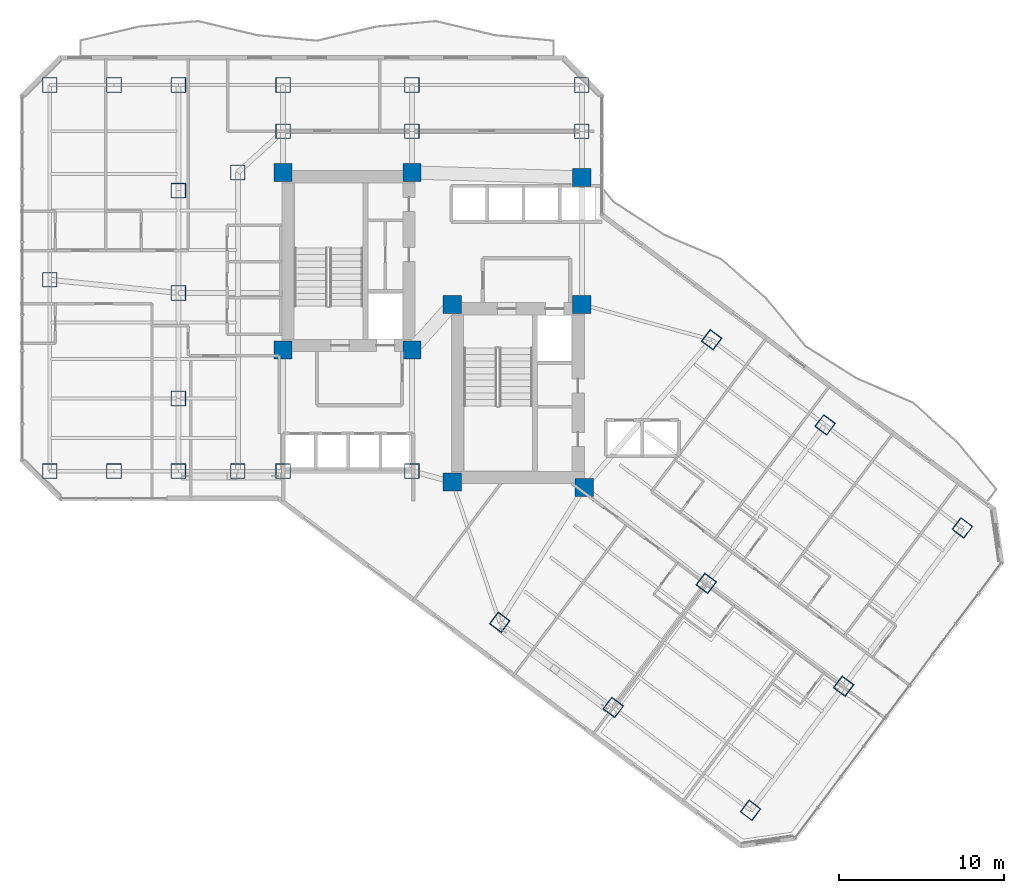
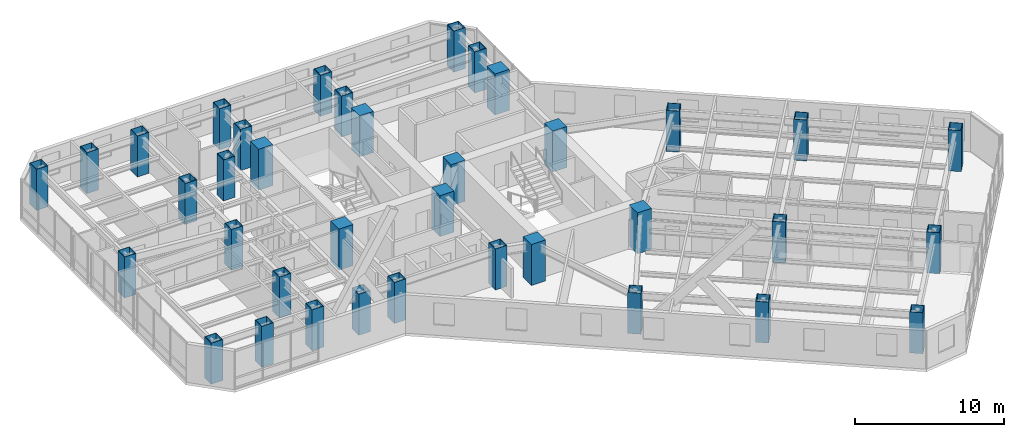
# One storey, part 1 of 30: 37 columns.
"""IFC4 building model written with IfcOpenShell, lengths in metres."""

import ifcopenshell
import ifcopenshell.guid

model = None  # the IFC model being written
_history = None  # IfcOwnerHistory: only IFC2X3 demands one
_inside = {}  # id of a spatial element -> (the spatial element, [elements in it])
_under = {}  # id of a project, library or spatial element -> (it, [spatial elements below it])
_declared = {}  # id of a project -> (the project, [libraries it declares])
_typed = {}  # id of a type object -> (the type object, [elements of that type])
_made_of = {}  # id of a material, layer set ... -> (it, [elements and type objects made of it])


def new_model(schema):
    """Start an empty IFC model of exactly this schema.

    Asked for "IFC4X3", IfcOpenShell would pick the latest addendum, in which some entities
    have other attributes; the version numbers below select the first issue.
    IFC2X3 requires an IfcOwnerHistory on every rooted entity: one is made here for all.
    """
    global model, _history
    if schema == "IFC4X3":
        model = ifcopenshell.file(schema_version=(4, 3, 0, 0))
    else:
        model = ifcopenshell.file(schema=schema)
    _inside.clear()
    _under.clear()
    _declared.clear()
    _typed.clear()
    _made_of.clear()
    _history = None
    if model.schema == "IFC2X3":
        org = make("IfcOrganization", Name="unknown")
        user = make(
            "IfcPersonAndOrganization",
            ThePerson=make("IfcPerson", FamilyName="unknown"),
            TheOrganization=org,
        )
        app = make(
            "IfcApplication",
            ApplicationDeveloper=org,
            Version="unknown",
            ApplicationFullName="unknown",
            ApplicationIdentifier="unknown",
        )
        _history = make(
            "IfcOwnerHistory",
            OwningUser=user,
            OwningApplication=app,
            ChangeAction="ADDED",
            CreationDate=0,
        )
    return model


def make(cls, **values):
    """One entity of the class cls with the attributes given. An attribute that is None is left unset."""
    return model.create_entity(
        cls, **{name: value for name, value in values.items() if value is not None}
    )


def rooted(cls, **values):
    """An entity with a GlobalId (a new one), such as an element, a storey or a relation."""
    return make(cls, GlobalId=ifcopenshell.guid.new(), OwnerHistory=_history, **values)


def si_unit(unit_type, name, prefix=None):
    """IfcSIUnit, for example si_unit("LENGTHUNIT", "METRE", prefix="MILLI")."""
    return make("IfcSIUnit", UnitType=unit_type, Prefix=prefix, Name=name)


def assignment(units):
    """IfcUnitAssignment: the units of a project."""
    return None if units is None else make("IfcUnitAssignment", Units=units)


def point(xyz):
    """IfcCartesianPoint."""
    return None if xyz is None else make("IfcCartesianPoint", Coordinates=xyz)


def direction(xyz):
    """IfcDirection."""
    return None if xyz is None else make("IfcDirection", DirectionRatios=xyz)


def frame(location, z_axis=None, x_axis=None):
    """IfcAxis2Placement3D, a coordinate frame: its origin and axes. An axis left out is left unset."""
    return make(
        "IfcAxis2Placement3D",
        Location=point(location),
        Axis=direction(z_axis),
        RefDirection=direction(x_axis),
    )


def frame_2d(location, x_axis=None):
    """IfcAxis2Placement2D, a coordinate frame in the plane: its origin and x axis."""
    return make(
        "IfcAxis2Placement2D", Location=point(location), RefDirection=direction(x_axis)
    )


def origin():
    """The frame at (0, 0, 0) with its axes left unset."""
    return frame((0.0, 0.0, 0.0))


def origin_2d():
    """The frame at (0, 0) in the plane with its x axis left unset."""
    return frame_2d((0.0, 0.0))


def place(relative_to, where):
    """IfcLocalPlacement: puts the frame where relative to a parent placement (None: the world)."""
    return make(
        "IfcLocalPlacement", PlacementRelTo=relative_to, RelativePlacement=where
    )


def context(
    kind, dimensions, precision=None, world=None, true_north=None, identifier=None
):
    """IfcGeometricRepresentationContext, for example the 3D "Model" context."""
    return make(
        "IfcGeometricRepresentationContext",
        ContextIdentifier=identifier,
        ContextType=kind,
        CoordinateSpaceDimension=dimensions,
        Precision=precision,
        WorldCoordinateSystem=world,
        TrueNorth=true_north,
    )


def subcontext(parent, identifier, kind, view, scale=None):
    """IfcGeometricRepresentationSubContext, for example "Body" below "Model"."""
    return make(
        "IfcGeometricRepresentationSubContext",
        ContextIdentifier=identifier,
        ContextType=kind,
        ParentContext=parent,
        TargetScale=scale,
        TargetView=view,
    )


def project(units=None, contexts=None):
    """IfcProject with its units and contexts."""
    return rooted(
        "IfcProject",
        Name="project",
        RepresentationContexts=contexts,
        UnitsInContext=assignment(units),
    )


def spatial(cls, under=None, at=None, **own):
    """A site, building, storey or space (cls), placed at a placement, below another one or the project."""
    s = rooted(cls, ObjectPlacement=at, **own)
    if under is not None:
        _under.setdefault(under.id(), (under, []))[1].append(s)
    return s


def profile(cls, at=None, kind="AREA", **sizes):
    """A parametric profile (cls). Its sizes go by their IFC names, for example OverallWidth=200.0."""
    return make(cls, ProfileType=kind, Position=at, **sizes)


def rectangle(**sizes):
    """IfcRectangleProfileDef."""
    return profile("IfcRectangleProfileDef", **sizes)


def hollow_rectangle(**sizes):
    """IfcRectangleHollowProfileDef."""
    return profile("IfcRectangleHollowProfileDef", **sizes)


def extrude(swept, where, along, depth):
    """IfcExtrudedAreaSolid: the profile swept, set in the frame where, extruded along a direction by depth."""
    return make(
        "IfcExtrudedAreaSolid",
        SweptArea=swept,
        Position=where,
        ExtrudedDirection=direction(along),
        Depth=depth,
    )


def shape(context_of_items, identifier, shape_type, items):
    """IfcShapeRepresentation: the items that make up one representation, for example the "Body"."""
    return make(
        "IfcShapeRepresentation",
        ContextOfItems=context_of_items,
        RepresentationIdentifier=identifier,
        RepresentationType=shape_type,
        Items=items,
    )


def material(Name=None, Category=None):
    """IfcMaterial."""
    return make("IfcMaterial", Name=Name, Category=Category)


def material_profile(
    of_material, cross_section, Name=None, Category=None, Priority=None
):
    """IfcMaterialProfile: a cross section and its material."""
    return make(
        "IfcMaterialProfile",
        Name=Name,
        Material=of_material,
        Profile=cross_section,
        Priority=Priority,
        Category=Category,
    )


def profile_set(profiles, Name=None, composite=None):
    """IfcMaterialProfileSet."""
    return make(
        "IfcMaterialProfileSet",
        Name=Name,
        MaterialProfiles=profiles,
        CompositeProfile=composite,
    )


def made_of(thing, what):
    """Note that an element or type object is made of a material, layer set ...; save() writes the relation."""
    if what is not None:
        _made_of.setdefault(what.id(), (what, []))[1].append(thing)
    return thing


def type_object(cls, material=None, **own):
    """A type object (cls), such as IfcWallType, which elements share."""
    return made_of(rooted(cls, **own), material)


def element(
    cls,
    number,
    at=None,
    inside=None,
    cuts=None,
    type_object=None,
    material=None,
    context=None,
    identifier="Body",
    shape_type=None,
    held_by="IfcProductDefinitionShape",
    body=None,
    shapes=None,
    **own,
):
    """One element of the class cls, such as IfcWall. Its Tag is "e" and its number.

    at: its placement. inside: the storey or other place that contains it. cuts: it is an
    opening in that element (IfcRelVoidsElement). A single representation is given by context,
    identifier, shape_type and body (its items); several are given by shapes. held_by: the class
    of the entity that holds the representations. save() writes the other relations.
    """
    e = rooted(cls, Tag="e%d" % number, ObjectPlacement=at, **own)
    if body is not None:
        shapes = [shape(context, identifier, shape_type, body)]
    if shapes is not None:
        e.Representation = make(held_by, Representations=shapes)
    if inside is not None:
        _inside.setdefault(inside.id(), (inside, []))[1].append(e)
    if cuts is not None:
        rooted(
            "IfcRelVoidsElement", RelatingBuildingElement=cuts, RelatedOpeningElement=e
        )
    if type_object is not None:
        _typed.setdefault(type_object.id(), (type_object, []))[1].append(e)
    return made_of(e, material)


def aggregate(whole, parts):
    """IfcRelAggregates: a whole, such as a stair, and the parts it consists of."""
    return rooted("IfcRelAggregates", RelatingObject=whole, RelatedObjects=parts)


def save(model, path):
    """Write the relations noted so far, then the file.

    IfcRelAggregates (storeys below a building ...), IfcRelContainedInSpatialStructure (elements
    in a storey), IfcRelDefinesByType, IfcRelAssociatesMaterial and IfcRelDeclares: one each for
    every whole, place, type object, material and project.
    """
    for whole, parts in _under.values():
        aggregate(whole, parts)
    for where, things in _inside.values():
        rooted(
            "IfcRelContainedInSpatialStructure",
            RelatedElements=things,
            RelatingStructure=where,
        )
    for kind, things in _typed.values():
        rooted("IfcRelDefinesByType", RelatedObjects=things, RelatingType=kind)
    for what, things in _made_of.values():
        rooted("IfcRelAssociatesMaterial", RelatedObjects=things, RelatingMaterial=what)
    for by, libraries in _declared.values():
        rooted("IfcRelDeclares", RelatingContext=by, RelatedDefinitions=libraries)
    model.write(path)


model = new_model("IFC4")

# Units and contexts
model_context = context("Model", 3, precision=1e-05, world=origin(), true_north=direction((0.0, 1.0)))
body_context = subcontext(model_context, "Body", "Model", "MODEL_VIEW")
ifc_project = project(units=[si_unit("LENGTHUNIT", "METRE"), si_unit("AREAUNIT", "SQUARE_METRE"), si_unit("VOLUMEUNIT", "CUBIC_METRE"), si_unit("PLANEANGLEUNIT", "RADIAN"), si_unit("MASSUNIT", "GRAM", prefix="KILO")], contexts=[model_context])

# Site, building, storey
site_placement = place(None, origin())
site = spatial("IfcSite", under=ifc_project, at=site_placement, CompositionType="ELEMENT")
building_placement = place(site_placement, origin())
building = spatial("IfcBuilding", under=site, at=building_placement, Name="Hatsunagi Terrace Concourse", CompositionType="ELEMENT")
storey_placement = place(building_placement, frame((0.0, 0.0, 74.60009765625)))
storey = spatial("IfcBuildingStorey", under=building, at=storey_placement, Name="L19", CompositionType="ELEMENT", Elevation=74.60009765625)

# Columns
ifc_material_1 = material(Name="Concrete Fc60", Category="concrete")
ifc_material_profile_1 = material_profile(ifc_material_1, rectangle(XDim=1.10009765625, YDim=1.10009765625, at=origin_2d()), Name="RC-1100x1100")
ifc_profile_set_1 = profile_set([ifc_material_profile_1], Name="Concrete Fc60")
column_type_1 = type_object("IfcColumnType", Name="CoreColumn_RC_1100x1100", PredefinedType="COLUMN", material=ifc_profile_set_1)
for number, where, z_axis, x_axis, name in (
    (1, (25.550048828125, 32.550048828125, 0.0), (0.0, 0.0, 1.0), (1.0, 0.0, 0.0), "Column C-01 L19-CASW"),
    (2, (33.35009765625, 32.550048828125, 0.0), (0.0, 0.0, 1.0), (1.0, 0.0, 0.0), "Column C-01 L19-CASE"),
    (3, (25.550048828125, 43.300048828125, 0.0), (0.0, 0.0, 1.0), (1.0, 0.0, 0.0), "Column C-01 L19-CANW"),
    (4, (33.35009765625, 43.300048828125, 0.0), (0.0, 0.0, 1.0), (1.0, 0.0, 0.0), "Column C-01 L19-CANE"),
    (5, (35.800048828125, 24.550048828125, 0.0), (0.0, 0.0, 1.0), (1.0, 0.0, 0.0), "Column C-01 L19-CBSW"),
    (6, (43.800048828125, 24.199951171875, 0.0), (0.0, 0.0, 1.0), (1.0, 0.0, 0.0), "Column C-01 L19-CBSE"),
    (7, (35.800048828125, 35.300048828125, 0.0), (0.0, 0.0, 1.0), (1.0, 0.0, 0.0), "Column C-01 L19-CBNW"),
    (8, (43.64990234375, 35.300048828125, 0.0), (0.0, 0.0, 1.0), (1.0, 0.0, 0.0), "Column C-01 L19-CBNE"),
    (9, (43.64990234375, 43.0, 0.0), (0.0, 0.0, 1.0), (1.0, 0.0, 0.0), "Column C-01 L19-K3"),
):
    element("IfcColumn", number, at=place(storey_placement, frame(where, z_axis=z_axis, x_axis=x_axis)), inside=storey, type_object=column_type_1, Name=name, PredefinedType="COLUMN", context=body_context, shape_type="SweptSolid", body=[
        extrude(rectangle(XDim=1.10009765625, YDim=1.10009765625, at=origin_2d()), origin(), (0.0, 0.0, 1.0), 3.349853515625),
    ])
ifc_material_2 = material(Name="Steel BCP325T", Category="steel")
ifc_material_profile_2 = material_profile(ifc_material_2, hollow_rectangle(XDim=0.89990234375, YDim=0.89990234375, WallThickness=0.035888671875, at=origin_2d()), Name="BCP-900x900x36")
ifc_profile_set_2 = profile_set([ifc_material_profile_2], Name="Steel BCP325T")
column_type_2 = type_object("IfcColumnType", Name="TowerBoxColumn_900x900x36", PredefinedType="COLUMN", material=ifc_profile_set_2)
for number, where, z_axis, x_axis, name in (
    (10, (25.550048828125, 25.199951171875, 0.0), (0.0, 0.0, 1.0), (1.0, 0.0, 0.0), "Column C-04 L19-K1"),
    (11, (33.35009765625, 25.199951171875, 0.0), (0.0, 0.0, 1.0), (1.0, 0.0, 0.0), "Column C-04 L19-K2"),
    (12, (25.550048828125, 45.800048828125, 0.0), (0.0, 0.0, 1.0), (1.0, 0.0, 0.0), "Column C-04 L19-CN1"),
    (13, (33.35009765625, 45.800048828125, 0.0), (0.0, 0.0, 1.0), (1.0, 0.0, 0.0), "Column C-04 L19-CN2"),
    (14, (43.64990234375, 45.800048828125, 0.0), (0.0, 0.0, 1.0), (1.0, 0.0, 0.0), "Column C-04 L19-CN3"),
    (15, (11.39990234375, 25.199951171875, 0.0), (0.0, 0.0, 1.0), (1.0, 0.0, 0.0), "Column C-04 L19-WS2"),
    (16, (11.39990234375, 48.60009765625, 0.0), (0.0, 0.0, 1.0), (1.0, 0.0, 0.0), "Column C-04 L19-WN2"),
    (17, (19.199951171875, 48.60009765625, 0.0), (0.0, 0.0, 1.0), (1.0, 0.0, 0.0), "Column C-04 L19-WN3"),
    (18, (25.550048828125, 48.60009765625, 0.0), (0.0, 0.0, 1.0), (1.0, 0.0, 0.0), "Column C-04 L19-WN4"),
    (19, (33.35009765625, 48.60009765625, 0.0), (0.0, 0.0, 1.0), (1.0, 0.0, 0.0), "Column C-04 L19-WN5"),
    (20, (43.64990234375, 48.60009765625, 0.0), (0.0, 0.0, 1.0), (1.0, 0.0, 0.0), "Column C-04 L19-WN6"),
    (21, (19.199951171875, 25.199951171875, 0.0), (0.0, 0.0, 1.0), (1.0, 0.0, 0.0), "Column C-04 L19-WS3"),
    (22, (19.199951171875, 29.60009765625, 0.0), (0.0, 0.0, 1.0), (1.0, 0.0, 0.0), "Column C-04 L19-WR1"),
    (23, (19.199951171875, 42.199951171875, 0.0), (0.0, 0.0, 1.0), (1.0, 0.0, 0.0), "Column C-04 L19-WR2"),
    (24, (22.800048828125, 25.199951171875, 0.0), (0.0, 0.0, 1.0), (1.0, 0.0, 0.0), "Column C-04 L19-CW1"),
    (25, (22.800048828125, 43.300048828125, 0.0), (0.0, 0.0, 1.0), (1.0, 0.0, 0.0), "Column C-04 L19-CW2"),
    (26, (11.39990234375, 36.800048828125, 0.0), (0.0, 0.0, 1.0), (1.0, 0.0, 0.0), "Column C-04 L19-WT1"),
    (27, (19.199951171875, 36.0, 0.0), (0.0, 0.0, 1.0), (1.0, 0.0, 0.0), "Column C-04 L19-WT2"),
    (28, (15.300048828125, 25.199951171875, 0.0), (0.0, 0.0, 1.0), (1.0, 0.0, 0.0), "Column C-04 L19-WT3"),
    (29, (15.300048828125, 48.60009765625, 0.0), (0.0, 0.0, 1.0), (1.0, 0.0, 0.0), "Column C-04 L19-WT4"),
    (30, (38.679931640625, 16.0400390625, 0.0), (0.0, 0.0, 1.0), (0.799999996291, -0.600000004945, 0.0), "Column C-04 L19-SES1"),
    (31, (51.52001953125, 33.159912109375, 0.0), (0.0, 0.0, 1.0), (0.799999996291, -0.600000004945, 0.0), "Column C-04 L19-SEN1"),
    (32, (45.56005859375, 10.8798828125, 0.0), (0.0, 0.0, 1.0), (0.799999996291, -0.600000004945, 0.0), "Column C-04 L19-SES2"),
    (33, (58.39990234375, 28.0, 0.0), (0.0, 0.0, 1.0), (0.799999996291, -0.600000004945, 0.0), "Column C-04 L19-SEN2"),
    (34, (51.199951171875, 18.39990234375, 0.0), (0.0, 0.0, 1.0), (0.799999996291, -0.600000004945, 0.0), "Column C-04 L19-SEM2"),
    (35, (53.8798828125, 4.639892578125, 0.0), (0.0, 0.0, 1.0), (0.799999996291, -0.600000004945, 0.0), "Column C-04 L19-SES3"),
    (36, (66.719970703125, 21.760009765625, 0.0), (0.0, 0.0, 1.0), (0.799999996291, -0.600000004945, 0.0), "Column C-04 L19-SEN3"),
    (37, (59.52001953125, 12.159912109375, 0.0), (0.0, 0.0, 1.0), (0.799999996291, -0.600000004945, 0.0), "Column C-04 L19-SEM3"),
):
    element("IfcColumn", number, at=place(storey_placement, frame(where, z_axis=z_axis, x_axis=x_axis)), inside=storey, type_object=column_type_2, Name=name, PredefinedType="COLUMN", context=body_context, shape_type="SweptSolid", body=[
        extrude(hollow_rectangle(XDim=0.89990234375, YDim=0.89990234375, WallThickness=0.035888671875, at=origin_2d()), origin(), (0.0, 0.0, 1.0), 3.349853515625),
    ])

save(model, "model.ifc")
